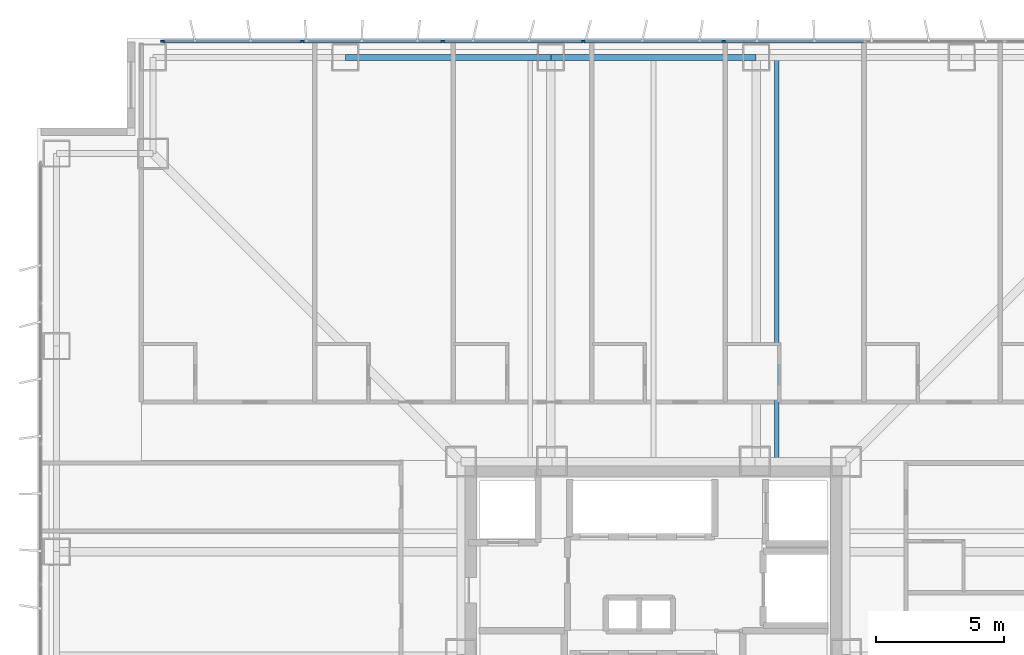
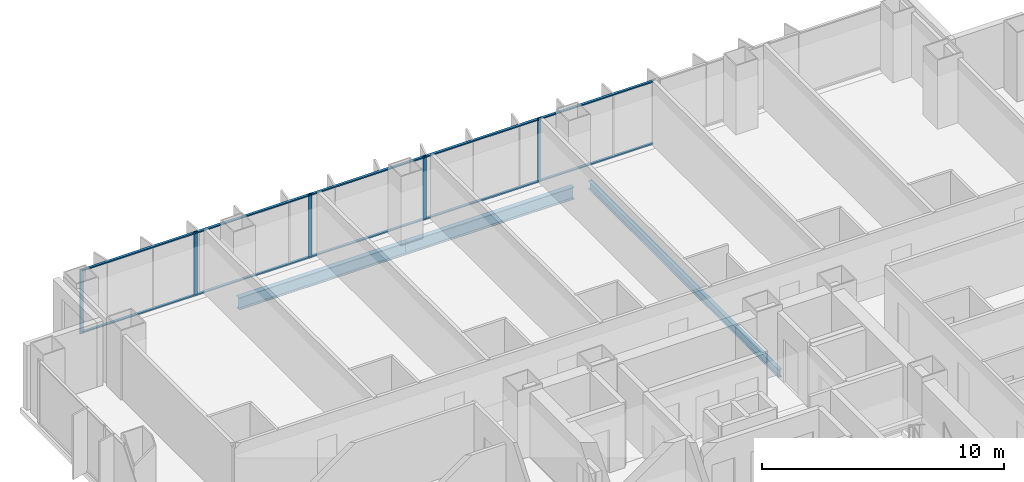
# One storey, part 8 of 17: 15 members, 3 beams, 1 element without a shape of its own.
"""IFC4 building model written with IfcOpenShell, lengths in metres."""

from ifc_helpers import new_model, si_unit, direction, frame, origin, origin_2d, place, context, subcontext, project, spatial, rectangle, i_section, extrude, material, layer, layer_set, material_profile, profile_set, type_object, element, aggregate, save


model = new_model("IFC4")

# Units and contexts
model_context = context("Model", 3, precision=1e-05, world=origin(), true_north=direction((0.0, 1.0)))
body_context = subcontext(model_context, "Body", "Model", "MODEL_VIEW")
ifc_project = project(units=[si_unit("LENGTHUNIT", "METRE"), si_unit("AREAUNIT", "SQUARE_METRE"), si_unit("VOLUMEUNIT", "CUBIC_METRE"), si_unit("PLANEANGLEUNIT", "RADIAN"), si_unit("MASSUNIT", "GRAM", prefix="KILO")], contexts=[model_context])

# Site, building, storey
site_placement = place(None, origin())
site = spatial("IfcSite", under=ifc_project, at=site_placement, CompositionType="ELEMENT")
building_placement = place(site_placement, origin())
building = spatial("IfcBuilding", under=site, at=building_placement, Name="Trevonay Congress Spire", CompositionType="ELEMENT")
storey_placement = place(building_placement, frame((0.0, 0.0, 69.0)))
storey = spatial("IfcBuildingStorey", under=building, at=storey_placement, Name="L17", CompositionType="ELEMENT", Elevation=69.0)

# Beams
ifc_material_1 = material(Name="Steel ASTM A572 Grade 50", Category="steel")
ifc_material_profile_1 = material_profile(ifc_material_1, i_section(OverallWidth=0.22998046875, OverallDepth=0.616943359375, WebThickness=0.01318359375, FlangeThickness=0.022216796875, FilletRadius=0.01611328125, at=origin_2d()), Name="W610x140")
ifc_profile_set_1 = profile_set([ifc_material_profile_1], Name="Steel ASTM A572 Grade 50")
beam_type_1 = type_object("IfcBeamType", Name="BM-RING-W610X140", PredefinedType="BEAM", material=ifc_profile_set_1)
for number, where, z_axis, x_axis, name in (
    (1, (-12.0, 23.25, -0.55859375), (1.0, 0.0, 0.0), (0.0, 1.0, 0.0), "L17 structural beam BM-L17-PN2"),
    (2, (-4.0, 23.25, -0.55859375), (1.0, 0.0, 0.0), (0.0, 1.0, 0.0), "L17 structural beam BM-L17-PN3"),
):
    element("IfcBeam", number, at=place(storey_placement, frame(where, z_axis=z_axis, x_axis=x_axis)), inside=storey, type_object=beam_type_1, Name=name, PredefinedType="BEAM", context=body_context, shape_type="SweptSolid", body=[
        extrude(i_section(OverallWidth=0.22998046875, OverallDepth=0.616943359375, WebThickness=0.01318359375, FlangeThickness=0.022216796875, FilletRadius=0.01611328125, at=origin_2d()), origin(), (0.0, 0.0, 1.0), 8.0),
    ])

# Curtain wall, members
ifc_material_2 = material(Name="Pale Anodised Aluminium EN AW-6063-T6", Category="aluminium")
ifc_layer = layer(ifc_material_2, 0.179931640625, Name="Pale Anodised Aluminium EN AW-6063-T6")
ifc_layer_set = layer_set([ifc_layer], Name="Pale Anodised Aluminium EN AW-6063-T6")
curtain_wall_type = type_object("IfcCurtainWallType", Name="CW-SYS02-HOTEL-PALE-METAL", PredefinedType="NOTDEFINED", material=ifc_layer_set)
curtain_wall_placement = place(storey_placement, origin())
curtain_wall = element("IfcCurtainWall", 3, at=curtain_wall_placement, inside=storey, type_object=curtain_wall_type, Name="L17 N unitised curtain wall", PredefinedType="NOTDEFINED")
ifc_material_profile_2 = material_profile(ifc_material_2, rectangle(XDim=0.06005859375, YDim=0.159912109375, at=origin_2d()), Name="CW-MULLION-160-ALUMINIUM")
ifc_profile_set_2 = profile_set([ifc_material_profile_2], Name="Pale Anodised Aluminium EN AW-6063-T6")
member_type_1 = type_object("IfcMemberType", Name="CW-MULLION-160-ALUMINIUM", PredefinedType="MULLION", material=ifc_profile_set_2)
member_1_placement = place(storey_placement, frame((-19.1201171875, 23.8798828125, 0.0), z_axis=(0.0, 0.0, 1.0), x_axis=(0.0, 1.0, 0.0)))
member_1 = element("IfcMember", 4, at=member_1_placement, type_object=member_type_1, Name="CW02 mullion 1", PredefinedType="MULLION", context=body_context, shape_type="SweptSolid", body=[
    extrude(rectangle(XDim=0.06005859375, YDim=0.159912109375, at=origin_2d()), origin(), (0.0, 0.0, 1.0), 3.25),
])
member_2_placement = place(storey_placement, frame((-13.678466796875, 23.8798828125, 0.0), z_axis=(0.0, 0.0, 1.0), x_axis=(0.0, 1.0, 0.0)))
member_2 = element("IfcMember", 5, at=member_2_placement, type_object=member_type_1, Name="CW02 mullion 2", PredefinedType="MULLION", context=body_context, shape_type="SweptSolid", body=[
    extrude(rectangle(XDim=0.06005859375, YDim=0.159912109375, at=origin_2d()), origin(), (0.0, 0.0, 1.0), 3.25),
])
member_3_placement = place(storey_placement, frame((-8.20703125, 23.8798828125, 0.0), z_axis=(0.0, 0.0, 1.0), x_axis=(0.0, 1.0, 0.0)))
member_3 = element("IfcMember", 6, at=member_3_placement, type_object=member_type_1, Name="CW02 mullion 3", PredefinedType="MULLION", context=body_context, shape_type="SweptSolid", body=[
    extrude(rectangle(XDim=0.06005859375, YDim=0.159912109375, at=origin_2d()), origin(), (0.0, 0.0, 1.0), 3.25),
])
member_4_placement = place(storey_placement, frame((-2.735595703125, 23.8798828125, 0.0), z_axis=(0.0, 0.0, 1.0), x_axis=(0.0, 1.0, 0.0)))
member_4 = element("IfcMember", 7, at=member_4_placement, type_object=member_type_1, Name="CW02 mullion 4", PredefinedType="MULLION", context=body_context, shape_type="SweptSolid", body=[
    extrude(rectangle(XDim=0.06005859375, YDim=0.159912109375, at=origin_2d()), origin(), (0.0, 0.0, 1.0), 3.25),
])
member_5_placement = place(storey_placement, frame((2.735595703125, 23.8798828125, 0.0), z_axis=(0.0, 0.0, 1.0), x_axis=(0.0, 1.0, 0.0)))
member_5 = element("IfcMember", 8, at=member_5_placement, type_object=member_type_1, Name="CW02 mullion 5", PredefinedType="MULLION", context=body_context, shape_type="SweptSolid", body=[
    extrude(rectangle(XDim=0.06005859375, YDim=0.159912109375, at=origin_2d()), origin(), (0.0, 0.0, 1.0), 3.25),
])
ifc_material_profile_3 = material_profile(ifc_material_2, rectangle(XDim=0.1201171875, YDim=0.06005859375, at=origin_2d()), Name="CW-TRANSOM-120-ALUMINIUM")
ifc_profile_set_3 = profile_set([ifc_material_profile_3], Name="Pale Anodised Aluminium EN AW-6063-T6")
member_type_2 = type_object("IfcMemberType", Name="CW-TRANSOM-120-ALUMINIUM", PredefinedType="USERDEFINED", material=ifc_profile_set_3)
member_6_placement = place(storey_placement, frame((-19.090087890625, 23.8798828125, 0.06005859375), z_axis=(1.0, 0.0, 0.0), x_axis=(0.0, 1.0, 0.0)))
member_6 = element("IfcMember", 9, at=member_6_placement, type_object=member_type_2, Name="CW02 transom 1.1", ObjectType="TRANSOM", PredefinedType="USERDEFINED", context=body_context, shape_type="SweptSolid", body=[
    extrude(rectangle(XDim=0.1201171875, YDim=0.06005859375, at=origin_2d()), origin(), (0.0, 0.0, 1.0), 5.381591796875),
])
member_7_placement = place(storey_placement, frame((-19.090087890625, 23.8798828125, 3.18994140625), z_axis=(1.0, 0.0, 0.0), x_axis=(0.0, 1.0, 0.0)))
member_7 = element("IfcMember", 10, at=member_7_placement, type_object=member_type_2, Name="CW02 transom 1.2", ObjectType="TRANSOM", PredefinedType="USERDEFINED", context=body_context, shape_type="SweptSolid", body=[
    extrude(rectangle(XDim=0.1201171875, YDim=0.06005859375, at=origin_2d()), origin(), (0.0, 0.0, 1.0), 5.381591796875),
])
member_8_placement = place(storey_placement, frame((-13.648681640625, 23.8798828125, 0.06005859375), z_axis=(1.0, 0.0, 0.0), x_axis=(0.0, 1.0, 0.0)))
member_8 = element("IfcMember", 11, at=member_8_placement, type_object=member_type_2, Name="CW02 transom 2.1", ObjectType="TRANSOM", PredefinedType="USERDEFINED", context=body_context, shape_type="SweptSolid", body=[
    extrude(rectangle(XDim=0.1201171875, YDim=0.06005859375, at=origin_2d()), origin(), (0.0, 0.0, 1.0), 5.41162109375),
])
member_9_placement = place(storey_placement, frame((-13.648681640625, 23.8798828125, 3.18994140625), z_axis=(1.0, 0.0, 0.0), x_axis=(0.0, 1.0, 0.0)))
member_9 = element("IfcMember", 12, at=member_9_placement, type_object=member_type_2, Name="CW02 transom 2.2", ObjectType="TRANSOM", PredefinedType="USERDEFINED", context=body_context, shape_type="SweptSolid", body=[
    extrude(rectangle(XDim=0.1201171875, YDim=0.06005859375, at=origin_2d()), origin(), (0.0, 0.0, 1.0), 5.41162109375),
])
member_10_placement = place(storey_placement, frame((-8.17724609375, 23.8798828125, 0.06005859375), z_axis=(1.0, 0.0, 0.0), x_axis=(0.0, 1.0, 0.0)))
member_10 = element("IfcMember", 13, at=member_10_placement, type_object=member_type_2, Name="CW02 transom 3.1", ObjectType="TRANSOM", PredefinedType="USERDEFINED", context=body_context, shape_type="SweptSolid", body=[
    extrude(rectangle(XDim=0.1201171875, YDim=0.06005859375, at=origin_2d()), origin(), (0.0, 0.0, 1.0), 5.41162109375),
])
member_11_placement = place(storey_placement, frame((-8.17724609375, 23.8798828125, 3.18994140625), z_axis=(1.0, 0.0, 0.0), x_axis=(0.0, 1.0, 0.0)))
member_11 = element("IfcMember", 14, at=member_11_placement, type_object=member_type_2, Name="CW02 transom 3.2", ObjectType="TRANSOM", PredefinedType="USERDEFINED", context=body_context, shape_type="SweptSolid", body=[
    extrude(rectangle(XDim=0.1201171875, YDim=0.06005859375, at=origin_2d()), origin(), (0.0, 0.0, 1.0), 5.41162109375),
])
member_12_placement = place(storey_placement, frame((-2.705810546875, 23.8798828125, 0.06005859375), z_axis=(1.0, 0.0, 0.0), x_axis=(0.0, 1.0, 0.0)))
member_12 = element("IfcMember", 15, at=member_12_placement, type_object=member_type_2, Name="CW02 transom 4.1", ObjectType="TRANSOM", PredefinedType="USERDEFINED", context=body_context, shape_type="SweptSolid", body=[
    extrude(rectangle(XDim=0.1201171875, YDim=0.06005859375, at=origin_2d()), origin(), (0.0, 0.0, 1.0), 5.41162109375),
])
member_13_placement = place(storey_placement, frame((-2.705810546875, 23.8798828125, 3.18994140625), z_axis=(1.0, 0.0, 0.0), x_axis=(0.0, 1.0, 0.0)))
member_13 = element("IfcMember", 16, at=member_13_placement, type_object=member_type_2, Name="CW02 transom 4.2", ObjectType="TRANSOM", PredefinedType="USERDEFINED", context=body_context, shape_type="SweptSolid", body=[
    extrude(rectangle(XDim=0.1201171875, YDim=0.06005859375, at=origin_2d()), origin(), (0.0, 0.0, 1.0), 5.41162109375),
])
member_14_placement = place(storey_placement, frame((2.765625, 23.8798828125, 0.06005859375), z_axis=(1.0, 0.0, 0.0), x_axis=(0.0, 1.0, 0.0)))
member_14 = element("IfcMember", 17, at=member_14_placement, type_object=member_type_2, Name="CW02 transom 5.1", ObjectType="TRANSOM", PredefinedType="USERDEFINED", context=body_context, shape_type="SweptSolid", body=[
    extrude(rectangle(XDim=0.1201171875, YDim=0.06005859375, at=origin_2d()), origin(), (0.0, 0.0, 1.0), 5.41162109375),
])
member_15_placement = place(storey_placement, frame((2.765625, 23.8798828125, 3.18994140625), z_axis=(1.0, 0.0, 0.0), x_axis=(0.0, 1.0, 0.0)))
member_15 = element("IfcMember", 18, at=member_15_placement, type_object=member_type_2, Name="CW02 transom 5.2", ObjectType="TRANSOM", PredefinedType="USERDEFINED", context=body_context, shape_type="SweptSolid", body=[
    extrude(rectangle(XDim=0.1201171875, YDim=0.06005859375, at=origin_2d()), origin(), (0.0, 0.0, 1.0), 5.41162109375),
])
aggregate(curtain_wall, [member_1, member_2, member_3, member_4, member_5, member_6, member_7, member_8, member_9, member_10, member_11, member_12, member_13, member_14, member_15])

# Beam
ifc_material_profile_4 = material_profile(ifc_material_1, i_section(OverallWidth=0.177978515625, OverallDepth=0.406982421875, WebThickness=0.0078125, FlangeThickness=0.0126953125, FilletRadius=0.012939453125, at=origin_2d()), Name="W410x60")
ifc_profile_set_4 = profile_set([ifc_material_profile_4], Name="Steel ASTM A572 Grade 50")
beam_type_2 = type_object("IfcBeamType", Name="JS-COMP-W410X60", PredefinedType="JOIST", material=ifc_profile_set_4)
beam_placement = place(storey_placement, frame((4.800048828125, 7.5, -0.45361328125), z_axis=(0.0, 1.0, 0.0), x_axis=(-1.0, 0.0, 0.0)))
element("IfcBeam", 19, at=beam_placement, inside=storey, type_object=beam_type_2, Name="L17 structural beam JS-L17-NS-N3", PredefinedType="JOIST", context=body_context, shape_type="SweptSolid", body=[
    extrude(i_section(OverallWidth=0.177978515625, OverallDepth=0.406982421875, WebThickness=0.0078125, FlangeThickness=0.0126953125, FilletRadius=0.012939453125, at=origin_2d()), origin(), (0.0, 0.0, 1.0), 15.75),
])

save(model, "model.ifc")
